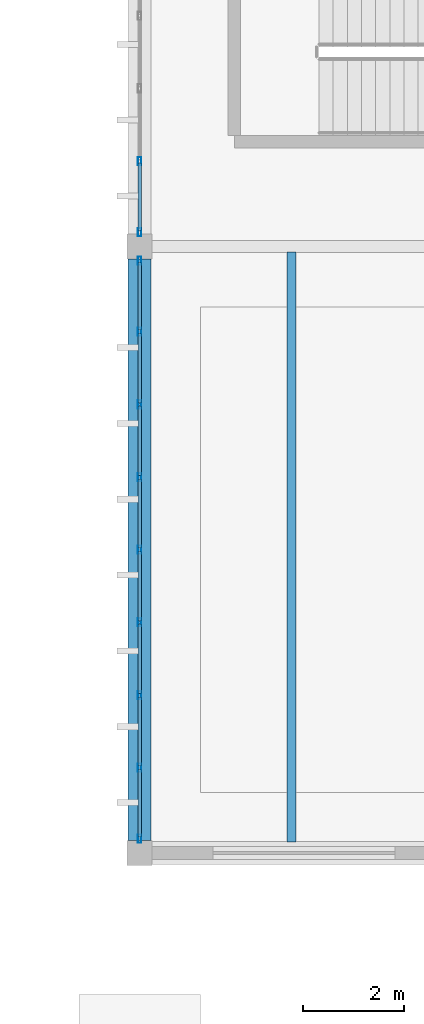
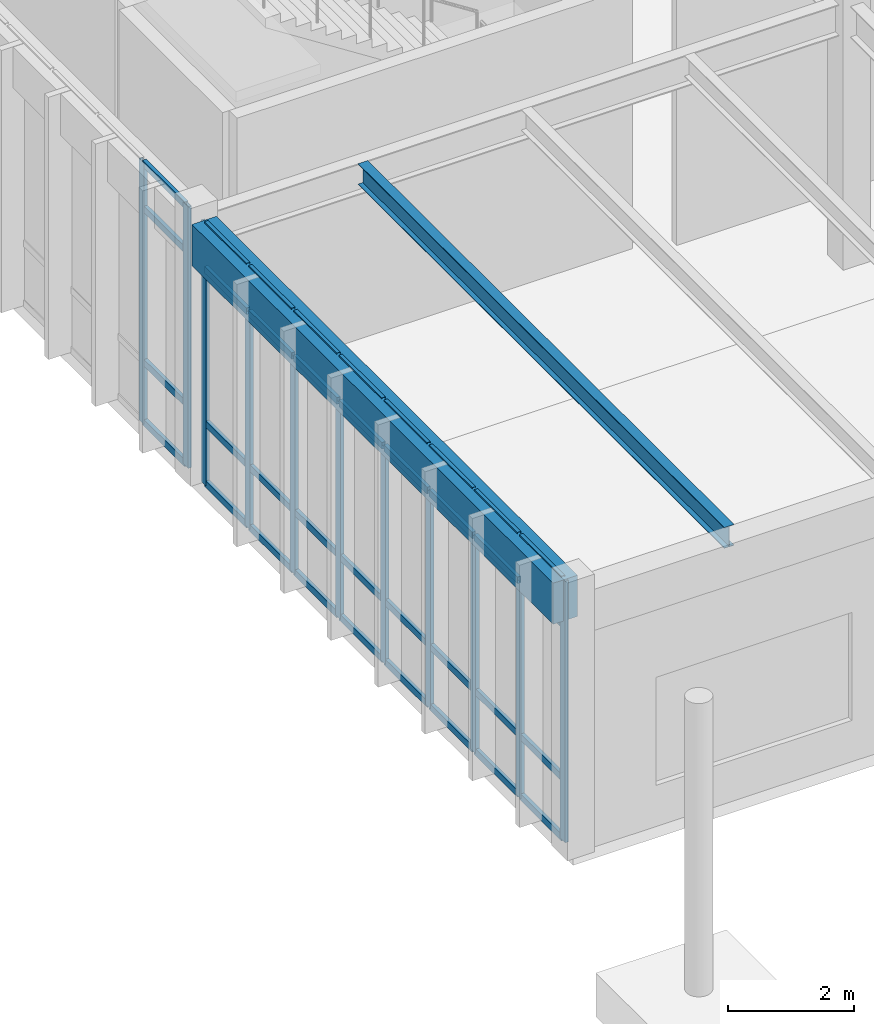
# One storey, part 74 of 188: 47 members, 2 beams, 2 elements without a shape of their own.
"""IFC4 building model written with IfcOpenShell, lengths in metres."""

from ifc_helpers import new_model, si_unit, direction, frame, origin, origin_2d, place, context, subcontext, project, spatial, rectangle, hollow_rectangle, i_section, extrude, material, layer, layer_set, material_profile, profile_set, type_object, element, aggregate, save


model = new_model("IFC4")

# Units and contexts
model_context = context("Model", 3, precision=1e-05, world=origin(), true_north=direction((0.0, 1.0)))
body_context = subcontext(model_context, "Body", "Model", "MODEL_VIEW")
ifc_project = project(units=[si_unit("LENGTHUNIT", "METRE"), si_unit("AREAUNIT", "SQUARE_METRE"), si_unit("VOLUMEUNIT", "CUBIC_METRE"), si_unit("PLANEANGLEUNIT", "RADIAN"), si_unit("MASSUNIT", "GRAM", prefix="KILO")], contexts=[model_context])

# Site, building, storey
site_placement = place(None, origin())
site = spatial("IfcSite", under=ifc_project, at=site_placement, CompositionType="ELEMENT")
building_placement = place(site_placement, origin())
building = spatial("IfcBuilding", under=site, at=building_placement, Name="Pandanus Reach Market Hall", CompositionType="ELEMENT")
storey_placement = place(building_placement, origin())
storey = spatial("IfcBuildingStorey", under=building, at=storey_placement, Name="L00", CompositionType="ELEMENT", Elevation=0.0)

# Beam
ifc_material_1 = material(Name="Concrete N40 (40 MPa)", Category="concrete")
ifc_material_profile_1 = material_profile(ifc_material_1, rectangle(XDim=0.449951171875, YDim=0.800048828125, at=origin_2d()), Name="RC450x800", Category="LoadBearing")
ifc_profile_set_1 = profile_set([ifc_material_profile_1], Name="Concrete N40 (40 MPa)")
beam_type_1 = type_object("IfcBeamType", Name="BM-RC450-E", PredefinedType="SPANDREL", material=ifc_profile_set_1)
beam_1_placement = place(storey_placement, frame((60.0, 96.248046875, 4.68505859375), z_axis=(0.0, 1.0, 0.0), x_axis=(-1.0, 0.0, 0.0)))
element("IfcBeam", 1, at=beam_1_placement, inside=storey, type_object=beam_type_1, Name="Framing beam BM-RC450-E L00.783", PredefinedType="SPANDREL", context=body_context, shape_type="SweptSolid", body=[
    extrude(rectangle(XDim=0.449951171875, YDim=0.800048828125, at=origin_2d()), origin(), (0.0, 0.0, 1.0), 11.50390625),
])

# Curtain wall, members
ifc_material_2 = material(Name="Bronze anodised aluminium and low-E glass", Category="aluminium")
ifc_layer = layer(ifc_material_2, 0.159912109375, Name="CW-41")
ifc_layer_set = layer_set([ifc_layer], Name="Bronze anodised aluminium and low-E glass")
curtain_wall_type = type_object("IfcCurtainWallType", Name="CW-41", PredefinedType="NOTDEFINED", material=ifc_layer_set)
curtain_wall_1_placement = place(storey_placement, origin())
curtain_wall_1 = element("IfcCurtainWall", 2, at=curtain_wall_1_placement, inside=storey, type_object=curtain_wall_type, Name="Glazed curtain wall CW-41 CW-0147", PredefinedType="NOTDEFINED")
ifc_material_3 = material(Name="Bronze anodised aluminium", Category="aluminium")
ifc_material_profile_2 = material_profile(ifc_material_3, hollow_rectangle(XDim=0.06494140625, YDim=0.159912109375, WallThickness=0.00390625, at=origin_2d()), Name="ALU65x160", Category="LoadBearing")
ifc_profile_set_2 = profile_set([ifc_material_profile_2], Name="Bronze anodised aluminium")
member_type_1 = type_object("IfcMemberType", Name="CW-M1", PredefinedType="MULLION", material=ifc_profile_set_2)
member_1_placement = place(storey_placement, frame((60.0, 96.282470703125, 0.0), z_axis=(0.0, 0.0, 1.0), x_axis=(-1.0, 0.0, 0.0)))
member_1 = element("IfcMember", 3, at=member_1_placement, type_object=member_type_1, Name="CW-41 mullion 1", PredefinedType="MULLION", context=body_context, shape_type="SweptSolid", body=[
    extrude(hollow_rectangle(XDim=0.06494140625, YDim=0.159912109375, WallThickness=0.00390625, at=origin_2d()), origin(), (0.0, 0.0, 1.0), 5.080078125),
])
member_2_placement = place(storey_placement, frame((60.0, 97.6875, 0.0), z_axis=(0.0, 0.0, 1.0), x_axis=(-1.0, 0.0, 0.0)))
member_2 = element("IfcMember", 4, at=member_2_placement, type_object=member_type_1, Name="CW-41 mullion 2", PredefinedType="MULLION", context=body_context, shape_type="SweptSolid", body=[
    extrude(hollow_rectangle(XDim=0.06494140625, YDim=0.159912109375, WallThickness=0.00390625, at=origin_2d()), origin(), (0.0, 0.0, 1.0), 5.080078125),
])
member_3_placement = place(storey_placement, frame((60.0, 99.125, 0.0), z_axis=(0.0, 0.0, 1.0), x_axis=(-1.0, 0.0, 0.0)))
member_3 = element("IfcMember", 5, at=member_3_placement, type_object=member_type_1, Name="CW-41 mullion 3", PredefinedType="MULLION", context=body_context, shape_type="SweptSolid", body=[
    extrude(hollow_rectangle(XDim=0.06494140625, YDim=0.159912109375, WallThickness=0.00390625, at=origin_2d()), origin(), (0.0, 0.0, 1.0), 5.080078125),
])
member_4_placement = place(storey_placement, frame((60.0, 100.5625, 0.0), z_axis=(0.0, 0.0, 1.0), x_axis=(-1.0, 0.0, 0.0)))
member_4 = element("IfcMember", 6, at=member_4_placement, type_object=member_type_1, Name="CW-41 mullion 4", PredefinedType="MULLION", context=body_context, shape_type="SweptSolid", body=[
    extrude(hollow_rectangle(XDim=0.06494140625, YDim=0.159912109375, WallThickness=0.00390625, at=origin_2d()), origin(), (0.0, 0.0, 1.0), 5.080078125),
])
member_5_placement = place(storey_placement, frame((60.0, 102.0, 0.0), z_axis=(0.0, 0.0, 1.0), x_axis=(-1.0, 0.0, 0.0)))
member_5 = element("IfcMember", 7, at=member_5_placement, type_object=member_type_1, Name="CW-41 mullion 5", PredefinedType="MULLION", context=body_context, shape_type="SweptSolid", body=[
    extrude(hollow_rectangle(XDim=0.06494140625, YDim=0.159912109375, WallThickness=0.00390625, at=origin_2d()), origin(), (0.0, 0.0, 1.0), 5.080078125),
])
member_6_placement = place(storey_placement, frame((60.0, 103.4375, 0.0), z_axis=(0.0, 0.0, 1.0), x_axis=(-1.0, 0.0, 0.0)))
member_6 = element("IfcMember", 8, at=member_6_placement, type_object=member_type_1, Name="CW-41 mullion 6", PredefinedType="MULLION", context=body_context, shape_type="SweptSolid", body=[
    extrude(hollow_rectangle(XDim=0.06494140625, YDim=0.159912109375, WallThickness=0.00390625, at=origin_2d()), origin(), (0.0, 0.0, 1.0), 5.080078125),
])
member_7_placement = place(storey_placement, frame((60.0, 104.875, 0.0), z_axis=(0.0, 0.0, 1.0), x_axis=(-1.0, 0.0, 0.0)))
member_7 = element("IfcMember", 9, at=member_7_placement, type_object=member_type_1, Name="CW-41 mullion 7", PredefinedType="MULLION", context=body_context, shape_type="SweptSolid", body=[
    extrude(hollow_rectangle(XDim=0.06494140625, YDim=0.159912109375, WallThickness=0.00390625, at=origin_2d()), origin(), (0.0, 0.0, 1.0), 5.080078125),
])
member_8_placement = place(storey_placement, frame((60.0, 106.3125, 0.0), z_axis=(0.0, 0.0, 1.0), x_axis=(-1.0, 0.0, 0.0)))
member_8 = element("IfcMember", 10, at=member_8_placement, type_object=member_type_1, Name="CW-41 mullion 8", PredefinedType="MULLION", context=body_context, shape_type="SweptSolid", body=[
    extrude(hollow_rectangle(XDim=0.06494140625, YDim=0.159912109375, WallThickness=0.00390625, at=origin_2d()), origin(), (0.0, 0.0, 1.0), 5.080078125),
])
member_9_placement = place(storey_placement, frame((60.0, 107.717529296875, 0.0), z_axis=(0.0, 0.0, 1.0), x_axis=(-1.0, 0.0, 0.0)))
member_9 = element("IfcMember", 11, at=member_9_placement, type_object=member_type_1, Name="CW-41 mullion 9", PredefinedType="MULLION", context=body_context, shape_type="SweptSolid", body=[
    extrude(hollow_rectangle(XDim=0.06494140625, YDim=0.159912109375, WallThickness=0.00390625, at=origin_2d()), origin(), (0.0, 0.0, 1.0), 5.080078125),
])

curtain_wall_2_placement = place(storey_placement, origin())
curtain_wall_2 = element("IfcCurtainWall", 12, at=curtain_wall_2_placement, inside=storey, type_object=curtain_wall_type, Name="Glazed curtain wall CW-41 CW-0150", PredefinedType="NOTDEFINED")
member_10_placement = place(storey_placement, frame((60.0, 108.282470703125, 0.0), z_axis=(0.0, 0.0, 1.0), x_axis=(-1.0, 0.0, 0.0)))
member_10 = element("IfcMember", 13, at=member_10_placement, type_object=member_type_1, Name="CW-41 mullion 1", PredefinedType="MULLION", context=body_context, shape_type="SweptSolid", body=[
    extrude(hollow_rectangle(XDim=0.06494140625, YDim=0.159912109375, WallThickness=0.00390625, at=origin_2d()), origin(), (0.0, 0.0, 1.0), 5.080078125),
])
member_11_placement = place(storey_placement, frame((60.0, 109.6875, 0.0), z_axis=(0.0, 0.0, 1.0), x_axis=(-1.0, 0.0, 0.0)))
member_11 = element("IfcMember", 14, at=member_11_placement, type_object=member_type_1, Name="CW-41 mullion 2", PredefinedType="MULLION", context=body_context, shape_type="SweptSolid", body=[
    extrude(hollow_rectangle(XDim=0.06494140625, YDim=0.159912109375, WallThickness=0.00390625, at=origin_2d()), origin(), (0.0, 0.0, 1.0), 5.080078125),
])

# Member
ifc_material_profile_3 = material_profile(ifc_material_3, hollow_rectangle(XDim=0.06494140625, YDim=0.1298828125, WallThickness=0.00390625, at=origin_2d()), Name="ALU65x130", Category="LoadBearing")
ifc_profile_set_3 = profile_set([ifc_material_profile_3], Name="Bronze anodised aluminium")
member_type_2 = type_object("IfcMemberType", Name="CW-T1", PredefinedType="USERDEFINED", material=ifc_profile_set_3)
member_12_placement = place(storey_placement, frame((60.0, 96.31494140625, 0.032470703125), z_axis=(0.0, 1.0, 0.0), x_axis=(-1.0, 0.0, 0.0)))
member_12 = element("IfcMember", 15, at=member_12_placement, type_object=member_type_2, Name="CW-41 transom 1.1", ObjectType="TRANSOM", PredefinedType="USERDEFINED", context=body_context, shape_type="SweptSolid", body=[
    extrude(hollow_rectangle(XDim=0.06494140625, YDim=0.1298828125, WallThickness=0.00390625, at=origin_2d()), origin(), (0.0, 0.0, 1.0), 1.340087890625),
])

member_13_placement = place(storey_placement, frame((60.0, 96.31494140625, 1.199951171875), z_axis=(0.0, 1.0, 0.0), x_axis=(-1.0, 0.0, 0.0)))
member_13 = element("IfcMember", 16, at=member_13_placement, type_object=member_type_2, Name="CW-41 transom 1.2", ObjectType="TRANSOM", PredefinedType="USERDEFINED", context=body_context, shape_type="SweptSolid", body=[
    extrude(hollow_rectangle(XDim=0.06494140625, YDim=0.1298828125, WallThickness=0.00390625, at=origin_2d()), origin(), (0.0, 0.0, 1.0), 1.340087890625),
])

member_14_placement = place(storey_placement, frame((60.0, 96.31494140625, 4.179931640625), z_axis=(0.0, 1.0, 0.0), x_axis=(-1.0, 0.0, 0.0)))
member_14 = element("IfcMember", 17, at=member_14_placement, type_object=member_type_2, Name="CW-41 transom 1.3", ObjectType="TRANSOM", PredefinedType="USERDEFINED", context=body_context, shape_type="SweptSolid", body=[
    extrude(hollow_rectangle(XDim=0.06494140625, YDim=0.1298828125, WallThickness=0.00390625, at=origin_2d()), origin(), (0.0, 0.0, 1.0), 1.340087890625),
])

member_15_placement = place(storey_placement, frame((60.0, 96.31494140625, 5.047607421875), z_axis=(0.0, 1.0, 0.0), x_axis=(-1.0, 0.0, 0.0)))
member_15 = element("IfcMember", 18, at=member_15_placement, type_object=member_type_2, Name="CW-41 transom 1.4", ObjectType="TRANSOM", PredefinedType="USERDEFINED", context=body_context, shape_type="SweptSolid", body=[
    extrude(hollow_rectangle(XDim=0.06494140625, YDim=0.1298828125, WallThickness=0.00390625, at=origin_2d()), origin(), (0.0, 0.0, 1.0), 1.340087890625),
])

member_16_placement = place(storey_placement, frame((60.0, 97.719970703125, 0.032470703125), z_axis=(0.0, 1.0, 0.0), x_axis=(-1.0, 0.0, 0.0)))
member_16 = element("IfcMember", 19, at=member_16_placement, type_object=member_type_2, Name="CW-41 transom 2.1", ObjectType="TRANSOM", PredefinedType="USERDEFINED", context=body_context, shape_type="SweptSolid", body=[
    extrude(hollow_rectangle(XDim=0.06494140625, YDim=0.1298828125, WallThickness=0.00390625, at=origin_2d()), origin(), (0.0, 0.0, 1.0), 1.37255859375),
])

member_17_placement = place(storey_placement, frame((60.0, 97.719970703125, 1.199951171875), z_axis=(0.0, 1.0, 0.0), x_axis=(-1.0, 0.0, 0.0)))
member_17 = element("IfcMember", 20, at=member_17_placement, type_object=member_type_2, Name="CW-41 transom 2.2", ObjectType="TRANSOM", PredefinedType="USERDEFINED", context=body_context, shape_type="SweptSolid", body=[
    extrude(hollow_rectangle(XDim=0.06494140625, YDim=0.1298828125, WallThickness=0.00390625, at=origin_2d()), origin(), (0.0, 0.0, 1.0), 1.37255859375),
])

member_18_placement = place(storey_placement, frame((60.0, 97.719970703125, 4.179931640625), z_axis=(0.0, 1.0, 0.0), x_axis=(-1.0, 0.0, 0.0)))
member_18 = element("IfcMember", 21, at=member_18_placement, type_object=member_type_2, Name="CW-41 transom 2.3", ObjectType="TRANSOM", PredefinedType="USERDEFINED", context=body_context, shape_type="SweptSolid", body=[
    extrude(hollow_rectangle(XDim=0.06494140625, YDim=0.1298828125, WallThickness=0.00390625, at=origin_2d()), origin(), (0.0, 0.0, 1.0), 1.37255859375),
])

member_19_placement = place(storey_placement, frame((60.0, 97.719970703125, 5.047607421875), z_axis=(0.0, 1.0, 0.0), x_axis=(-1.0, 0.0, 0.0)))
member_19 = element("IfcMember", 22, at=member_19_placement, type_object=member_type_2, Name="CW-41 transom 2.4", ObjectType="TRANSOM", PredefinedType="USERDEFINED", context=body_context, shape_type="SweptSolid", body=[
    extrude(hollow_rectangle(XDim=0.06494140625, YDim=0.1298828125, WallThickness=0.00390625, at=origin_2d()), origin(), (0.0, 0.0, 1.0), 1.37255859375),
])

member_20_placement = place(storey_placement, frame((60.0, 99.157470703125, 0.032470703125), z_axis=(0.0, 1.0, 0.0), x_axis=(-1.0, 0.0, 0.0)))
member_20 = element("IfcMember", 23, at=member_20_placement, type_object=member_type_2, Name="CW-41 transom 3.1", ObjectType="TRANSOM", PredefinedType="USERDEFINED", context=body_context, shape_type="SweptSolid", body=[
    extrude(hollow_rectangle(XDim=0.06494140625, YDim=0.1298828125, WallThickness=0.00390625, at=origin_2d()), origin(), (0.0, 0.0, 1.0), 1.37255859375),
])

member_21_placement = place(storey_placement, frame((60.0, 99.157470703125, 1.199951171875), z_axis=(0.0, 1.0, 0.0), x_axis=(-1.0, 0.0, 0.0)))
member_21 = element("IfcMember", 24, at=member_21_placement, type_object=member_type_2, Name="CW-41 transom 3.2", ObjectType="TRANSOM", PredefinedType="USERDEFINED", context=body_context, shape_type="SweptSolid", body=[
    extrude(hollow_rectangle(XDim=0.06494140625, YDim=0.1298828125, WallThickness=0.00390625, at=origin_2d()), origin(), (0.0, 0.0, 1.0), 1.37255859375),
])

member_22_placement = place(storey_placement, frame((60.0, 99.157470703125, 4.179931640625), z_axis=(0.0, 1.0, 0.0), x_axis=(-1.0, 0.0, 0.0)))
member_22 = element("IfcMember", 25, at=member_22_placement, type_object=member_type_2, Name="CW-41 transom 3.3", ObjectType="TRANSOM", PredefinedType="USERDEFINED", context=body_context, shape_type="SweptSolid", body=[
    extrude(hollow_rectangle(XDim=0.06494140625, YDim=0.1298828125, WallThickness=0.00390625, at=origin_2d()), origin(), (0.0, 0.0, 1.0), 1.37255859375),
])

member_23_placement = place(storey_placement, frame((60.0, 99.157470703125, 5.047607421875), z_axis=(0.0, 1.0, 0.0), x_axis=(-1.0, 0.0, 0.0)))
member_23 = element("IfcMember", 26, at=member_23_placement, type_object=member_type_2, Name="CW-41 transom 3.4", ObjectType="TRANSOM", PredefinedType="USERDEFINED", context=body_context, shape_type="SweptSolid", body=[
    extrude(hollow_rectangle(XDim=0.06494140625, YDim=0.1298828125, WallThickness=0.00390625, at=origin_2d()), origin(), (0.0, 0.0, 1.0), 1.37255859375),
])

member_24_placement = place(storey_placement, frame((60.0, 100.594970703125, 0.032470703125), z_axis=(0.0, 1.0, 0.0), x_axis=(-1.0, 0.0, 0.0)))
member_24 = element("IfcMember", 27, at=member_24_placement, type_object=member_type_2, Name="CW-41 transom 4.1", ObjectType="TRANSOM", PredefinedType="USERDEFINED", context=body_context, shape_type="SweptSolid", body=[
    extrude(hollow_rectangle(XDim=0.06494140625, YDim=0.1298828125, WallThickness=0.00390625, at=origin_2d()), origin(), (0.0, 0.0, 1.0), 1.37255859375),
])

member_25_placement = place(storey_placement, frame((60.0, 100.594970703125, 1.199951171875), z_axis=(0.0, 1.0, 0.0), x_axis=(-1.0, 0.0, 0.0)))
member_25 = element("IfcMember", 28, at=member_25_placement, type_object=member_type_2, Name="CW-41 transom 4.2", ObjectType="TRANSOM", PredefinedType="USERDEFINED", context=body_context, shape_type="SweptSolid", body=[
    extrude(hollow_rectangle(XDim=0.06494140625, YDim=0.1298828125, WallThickness=0.00390625, at=origin_2d()), origin(), (0.0, 0.0, 1.0), 1.37255859375),
])

member_26_placement = place(storey_placement, frame((60.0, 100.594970703125, 4.179931640625), z_axis=(0.0, 1.0, 0.0), x_axis=(-1.0, 0.0, 0.0)))
member_26 = element("IfcMember", 29, at=member_26_placement, type_object=member_type_2, Name="CW-41 transom 4.3", ObjectType="TRANSOM", PredefinedType="USERDEFINED", context=body_context, shape_type="SweptSolid", body=[
    extrude(hollow_rectangle(XDim=0.06494140625, YDim=0.1298828125, WallThickness=0.00390625, at=origin_2d()), origin(), (0.0, 0.0, 1.0), 1.37255859375),
])

member_27_placement = place(storey_placement, frame((60.0, 100.594970703125, 5.047607421875), z_axis=(0.0, 1.0, 0.0), x_axis=(-1.0, 0.0, 0.0)))
member_27 = element("IfcMember", 30, at=member_27_placement, type_object=member_type_2, Name="CW-41 transom 4.4", ObjectType="TRANSOM", PredefinedType="USERDEFINED", context=body_context, shape_type="SweptSolid", body=[
    extrude(hollow_rectangle(XDim=0.06494140625, YDim=0.1298828125, WallThickness=0.00390625, at=origin_2d()), origin(), (0.0, 0.0, 1.0), 1.37255859375),
])

member_28_placement = place(storey_placement, frame((60.0, 102.032470703125, 0.032470703125), z_axis=(0.0, 1.0, 0.0), x_axis=(-1.0, 0.0, 0.0)))
member_28 = element("IfcMember", 31, at=member_28_placement, type_object=member_type_2, Name="CW-41 transom 5.1", ObjectType="TRANSOM", PredefinedType="USERDEFINED", context=body_context, shape_type="SweptSolid", body=[
    extrude(hollow_rectangle(XDim=0.06494140625, YDim=0.1298828125, WallThickness=0.00390625, at=origin_2d()), origin(), (0.0, 0.0, 1.0), 1.37255859375),
])

member_29_placement = place(storey_placement, frame((60.0, 102.032470703125, 1.199951171875), z_axis=(0.0, 1.0, 0.0), x_axis=(-1.0, 0.0, 0.0)))
member_29 = element("IfcMember", 32, at=member_29_placement, type_object=member_type_2, Name="CW-41 transom 5.2", ObjectType="TRANSOM", PredefinedType="USERDEFINED", context=body_context, shape_type="SweptSolid", body=[
    extrude(hollow_rectangle(XDim=0.06494140625, YDim=0.1298828125, WallThickness=0.00390625, at=origin_2d()), origin(), (0.0, 0.0, 1.0), 1.37255859375),
])

member_30_placement = place(storey_placement, frame((60.0, 102.032470703125, 4.179931640625), z_axis=(0.0, 1.0, 0.0), x_axis=(-1.0, 0.0, 0.0)))
member_30 = element("IfcMember", 33, at=member_30_placement, type_object=member_type_2, Name="CW-41 transom 5.3", ObjectType="TRANSOM", PredefinedType="USERDEFINED", context=body_context, shape_type="SweptSolid", body=[
    extrude(hollow_rectangle(XDim=0.06494140625, YDim=0.1298828125, WallThickness=0.00390625, at=origin_2d()), origin(), (0.0, 0.0, 1.0), 1.37255859375),
])

member_31_placement = place(storey_placement, frame((60.0, 102.032470703125, 5.047607421875), z_axis=(0.0, 1.0, 0.0), x_axis=(-1.0, 0.0, 0.0)))
member_31 = element("IfcMember", 34, at=member_31_placement, type_object=member_type_2, Name="CW-41 transom 5.4", ObjectType="TRANSOM", PredefinedType="USERDEFINED", context=body_context, shape_type="SweptSolid", body=[
    extrude(hollow_rectangle(XDim=0.06494140625, YDim=0.1298828125, WallThickness=0.00390625, at=origin_2d()), origin(), (0.0, 0.0, 1.0), 1.37255859375),
])

member_32_placement = place(storey_placement, frame((60.0, 103.469970703125, 0.032470703125), z_axis=(0.0, 1.0, 0.0), x_axis=(-1.0, 0.0, 0.0)))
member_32 = element("IfcMember", 35, at=member_32_placement, type_object=member_type_2, Name="CW-41 transom 6.1", ObjectType="TRANSOM", PredefinedType="USERDEFINED", context=body_context, shape_type="SweptSolid", body=[
    extrude(hollow_rectangle(XDim=0.06494140625, YDim=0.1298828125, WallThickness=0.00390625, at=origin_2d()), origin(), (0.0, 0.0, 1.0), 1.37255859375),
])

member_33_placement = place(storey_placement, frame((60.0, 103.469970703125, 1.199951171875), z_axis=(0.0, 1.0, 0.0), x_axis=(-1.0, 0.0, 0.0)))
member_33 = element("IfcMember", 36, at=member_33_placement, type_object=member_type_2, Name="CW-41 transom 6.2", ObjectType="TRANSOM", PredefinedType="USERDEFINED", context=body_context, shape_type="SweptSolid", body=[
    extrude(hollow_rectangle(XDim=0.06494140625, YDim=0.1298828125, WallThickness=0.00390625, at=origin_2d()), origin(), (0.0, 0.0, 1.0), 1.37255859375),
])

member_34_placement = place(storey_placement, frame((60.0, 103.469970703125, 4.179931640625), z_axis=(0.0, 1.0, 0.0), x_axis=(-1.0, 0.0, 0.0)))
member_34 = element("IfcMember", 37, at=member_34_placement, type_object=member_type_2, Name="CW-41 transom 6.3", ObjectType="TRANSOM", PredefinedType="USERDEFINED", context=body_context, shape_type="SweptSolid", body=[
    extrude(hollow_rectangle(XDim=0.06494140625, YDim=0.1298828125, WallThickness=0.00390625, at=origin_2d()), origin(), (0.0, 0.0, 1.0), 1.37255859375),
])

member_35_placement = place(storey_placement, frame((60.0, 103.469970703125, 5.047607421875), z_axis=(0.0, 1.0, 0.0), x_axis=(-1.0, 0.0, 0.0)))
member_35 = element("IfcMember", 38, at=member_35_placement, type_object=member_type_2, Name="CW-41 transom 6.4", ObjectType="TRANSOM", PredefinedType="USERDEFINED", context=body_context, shape_type="SweptSolid", body=[
    extrude(hollow_rectangle(XDim=0.06494140625, YDim=0.1298828125, WallThickness=0.00390625, at=origin_2d()), origin(), (0.0, 0.0, 1.0), 1.37255859375),
])

member_36_placement = place(storey_placement, frame((60.0, 104.907470703125, 0.032470703125), z_axis=(0.0, 1.0, 0.0), x_axis=(-1.0, 0.0, 0.0)))
member_36 = element("IfcMember", 39, at=member_36_placement, type_object=member_type_2, Name="CW-41 transom 7.1", ObjectType="TRANSOM", PredefinedType="USERDEFINED", context=body_context, shape_type="SweptSolid", body=[
    extrude(hollow_rectangle(XDim=0.06494140625, YDim=0.1298828125, WallThickness=0.00390625, at=origin_2d()), origin(), (0.0, 0.0, 1.0), 1.37255859375),
])

member_37_placement = place(storey_placement, frame((60.0, 104.907470703125, 1.199951171875), z_axis=(0.0, 1.0, 0.0), x_axis=(-1.0, 0.0, 0.0)))
member_37 = element("IfcMember", 40, at=member_37_placement, type_object=member_type_2, Name="CW-41 transom 7.2", ObjectType="TRANSOM", PredefinedType="USERDEFINED", context=body_context, shape_type="SweptSolid", body=[
    extrude(hollow_rectangle(XDim=0.06494140625, YDim=0.1298828125, WallThickness=0.00390625, at=origin_2d()), origin(), (0.0, 0.0, 1.0), 1.37255859375),
])

member_38_placement = place(storey_placement, frame((60.0, 104.907470703125, 4.179931640625), z_axis=(0.0, 1.0, 0.0), x_axis=(-1.0, 0.0, 0.0)))
member_38 = element("IfcMember", 41, at=member_38_placement, type_object=member_type_2, Name="CW-41 transom 7.3", ObjectType="TRANSOM", PredefinedType="USERDEFINED", context=body_context, shape_type="SweptSolid", body=[
    extrude(hollow_rectangle(XDim=0.06494140625, YDim=0.1298828125, WallThickness=0.00390625, at=origin_2d()), origin(), (0.0, 0.0, 1.0), 1.37255859375),
])

member_39_placement = place(storey_placement, frame((60.0, 104.907470703125, 5.047607421875), z_axis=(0.0, 1.0, 0.0), x_axis=(-1.0, 0.0, 0.0)))
member_39 = element("IfcMember", 42, at=member_39_placement, type_object=member_type_2, Name="CW-41 transom 7.4", ObjectType="TRANSOM", PredefinedType="USERDEFINED", context=body_context, shape_type="SweptSolid", body=[
    extrude(hollow_rectangle(XDim=0.06494140625, YDim=0.1298828125, WallThickness=0.00390625, at=origin_2d()), origin(), (0.0, 0.0, 1.0), 1.37255859375),
])

member_40_placement = place(storey_placement, frame((60.0, 106.344970703125, 0.032470703125), z_axis=(0.0, 1.0, 0.0), x_axis=(-1.0, 0.0, 0.0)))
member_40 = element("IfcMember", 43, at=member_40_placement, type_object=member_type_2, Name="CW-41 transom 8.1", ObjectType="TRANSOM", PredefinedType="USERDEFINED", context=body_context, shape_type="SweptSolid", body=[
    extrude(hollow_rectangle(XDim=0.06494140625, YDim=0.1298828125, WallThickness=0.00390625, at=origin_2d()), origin(), (0.0, 0.0, 1.0), 1.340087890625),
])

member_41_placement = place(storey_placement, frame((60.0, 106.344970703125, 1.199951171875), z_axis=(0.0, 1.0, 0.0), x_axis=(-1.0, 0.0, 0.0)))
member_41 = element("IfcMember", 44, at=member_41_placement, type_object=member_type_2, Name="CW-41 transom 8.2", ObjectType="TRANSOM", PredefinedType="USERDEFINED", context=body_context, shape_type="SweptSolid", body=[
    extrude(hollow_rectangle(XDim=0.06494140625, YDim=0.1298828125, WallThickness=0.00390625, at=origin_2d()), origin(), (0.0, 0.0, 1.0), 1.340087890625),
])

member_42_placement = place(storey_placement, frame((60.0, 106.344970703125, 4.179931640625), z_axis=(0.0, 1.0, 0.0), x_axis=(-1.0, 0.0, 0.0)))
member_42 = element("IfcMember", 45, at=member_42_placement, type_object=member_type_2, Name="CW-41 transom 8.3", ObjectType="TRANSOM", PredefinedType="USERDEFINED", context=body_context, shape_type="SweptSolid", body=[
    extrude(hollow_rectangle(XDim=0.06494140625, YDim=0.1298828125, WallThickness=0.00390625, at=origin_2d()), origin(), (0.0, 0.0, 1.0), 1.340087890625),
])

member_43_placement = place(storey_placement, frame((60.0, 106.344970703125, 5.047607421875), z_axis=(0.0, 1.0, 0.0), x_axis=(-1.0, 0.0, 0.0)))
member_43 = element("IfcMember", 46, at=member_43_placement, type_object=member_type_2, Name="CW-41 transom 8.4", ObjectType="TRANSOM", PredefinedType="USERDEFINED", context=body_context, shape_type="SweptSolid", body=[
    extrude(hollow_rectangle(XDim=0.06494140625, YDim=0.1298828125, WallThickness=0.00390625, at=origin_2d()), origin(), (0.0, 0.0, 1.0), 1.340087890625),
])

aggregate(curtain_wall_1, [member_1, member_2, member_3, member_4, member_5, member_6, member_7, member_8, member_9, member_12, member_13, member_14, member_15, member_16, member_17, member_18, member_19, member_20, member_21, member_22, member_23, member_24, member_25, member_26, member_27, member_28, member_29, member_30, member_31, member_32, member_33, member_34, member_35, member_36, member_37, member_38, member_39, member_40, member_41, member_42, member_43])

member_44_placement = place(storey_placement, frame((60.0, 108.31494140625, 0.032470703125), z_axis=(0.0, 1.0, 0.0), x_axis=(-1.0, 0.0, 0.0)))
member_44 = element("IfcMember", 47, at=member_44_placement, type_object=member_type_2, Name="CW-41 transom 1.1", ObjectType="TRANSOM", PredefinedType="USERDEFINED", context=body_context, shape_type="SweptSolid", body=[
    extrude(hollow_rectangle(XDim=0.06494140625, YDim=0.1298828125, WallThickness=0.00390625, at=origin_2d()), origin(), (0.0, 0.0, 1.0), 1.340087890625),
])

member_45_placement = place(storey_placement, frame((60.0, 108.31494140625, 1.199951171875), z_axis=(0.0, 1.0, 0.0), x_axis=(-1.0, 0.0, 0.0)))
member_45 = element("IfcMember", 48, at=member_45_placement, type_object=member_type_2, Name="CW-41 transom 1.2", ObjectType="TRANSOM", PredefinedType="USERDEFINED", context=body_context, shape_type="SweptSolid", body=[
    extrude(hollow_rectangle(XDim=0.06494140625, YDim=0.1298828125, WallThickness=0.00390625, at=origin_2d()), origin(), (0.0, 0.0, 1.0), 1.340087890625),
])

member_46_placement = place(storey_placement, frame((60.0, 108.31494140625, 4.179931640625), z_axis=(0.0, 1.0, 0.0), x_axis=(-1.0, 0.0, 0.0)))
member_46 = element("IfcMember", 49, at=member_46_placement, type_object=member_type_2, Name="CW-41 transom 1.3", ObjectType="TRANSOM", PredefinedType="USERDEFINED", context=body_context, shape_type="SweptSolid", body=[
    extrude(hollow_rectangle(XDim=0.06494140625, YDim=0.1298828125, WallThickness=0.00390625, at=origin_2d()), origin(), (0.0, 0.0, 1.0), 1.340087890625),
])

member_47_placement = place(storey_placement, frame((60.0, 108.31494140625, 5.047607421875), z_axis=(0.0, 1.0, 0.0), x_axis=(-1.0, 0.0, 0.0)))
member_47 = element("IfcMember", 50, at=member_47_placement, type_object=member_type_2, Name="CW-41 transom 1.4", ObjectType="TRANSOM", PredefinedType="USERDEFINED", context=body_context, shape_type="SweptSolid", body=[
    extrude(hollow_rectangle(XDim=0.06494140625, YDim=0.1298828125, WallThickness=0.00390625, at=origin_2d()), origin(), (0.0, 0.0, 1.0), 1.340087890625),
])

aggregate(curtain_wall_2, [member_10, member_11, member_44, member_45, member_46, member_47])

# Beam
ifc_material_4 = material(Name="Steel Grade 350 (350 MPa)", Category="steel")
ifc_material_profile_4 = material_profile(ifc_material_4, i_section(OverallWidth=0.177978515625, OverallDepth=0.406005859375, WebThickness=0.0078125, FlangeThickness=0.0126953125, at=origin_2d()), Name="410UB59.7", Category="LoadBearing")
ifc_profile_set_4 = profile_set([ifc_material_profile_4], Name="Steel Grade 350 (350 MPa)")
beam_type_2 = type_object("IfcBeamType", Name="JS-UB410-I", PredefinedType="JOIST", material=ifc_profile_set_4)
beam_2_placement = place(storey_placement, frame((63.0, 96.222900390625, 4.881591796875), z_axis=(0.0, 1.0, 0.0), x_axis=(-1.0, 0.0, 0.0)))
element("IfcBeam", 51, at=beam_2_placement, inside=storey, type_object=beam_type_2, Name="Secondary joist JS-UB410-I L00.803", PredefinedType="JOIST", context=body_context, shape_type="SweptSolid", body=[
    extrude(i_section(OverallWidth=0.177978515625, OverallDepth=0.406005859375, WebThickness=0.0078125, FlangeThickness=0.0126953125, at=origin_2d()), origin(), (0.0, 0.0, 1.0), 11.66455078125),
])

save(model, "model.ifc")
